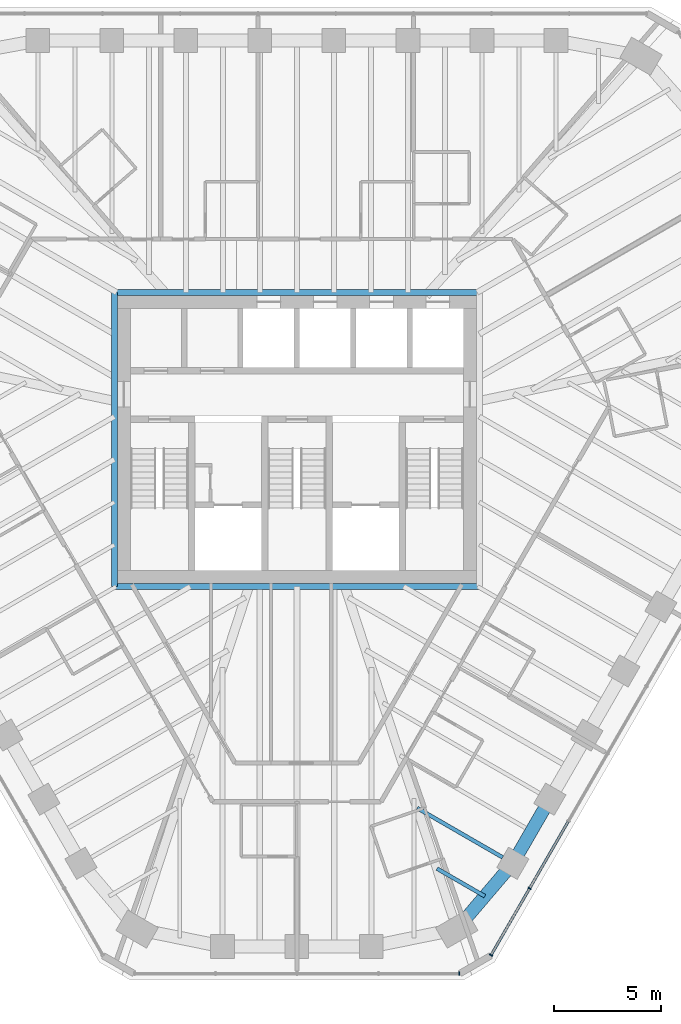
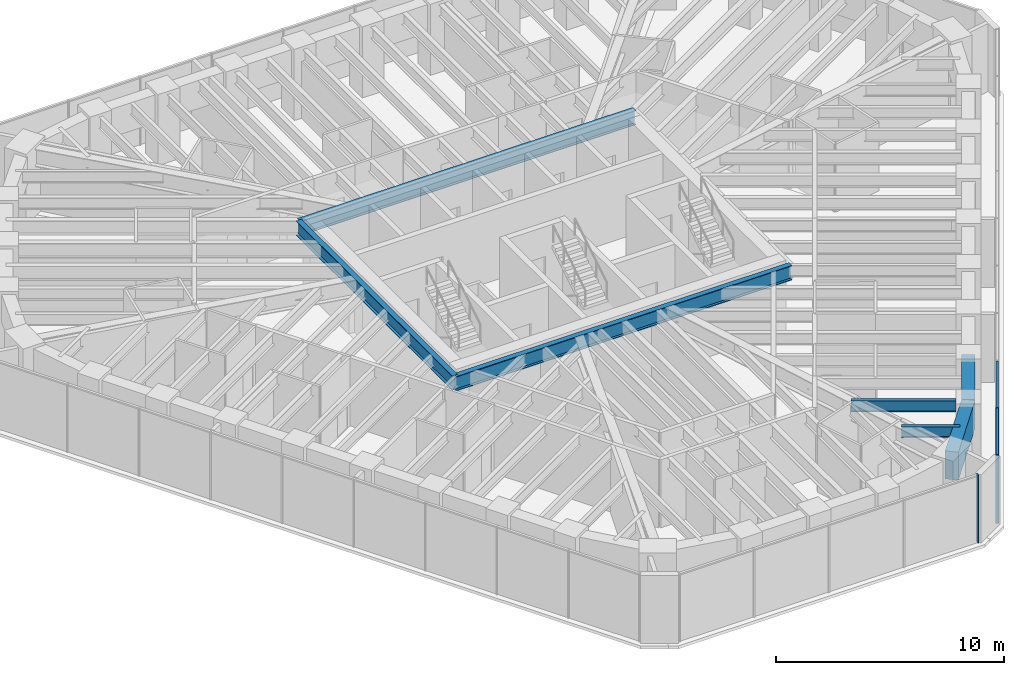
# One storey, part 4 of 14: 7 beams, 5 members, 2 elements without a shape of their own.
"""IFC4 building model written with IfcOpenShell, lengths in metres."""

from ifc_helpers import new_model, si_unit, direction, frame, origin, origin_2d, place, context, subcontext, project, spatial, rectangle, i_section, extrude, material, material_profile, profile_set, type_object, element, aggregate, save


model = new_model("IFC4")

# Units and contexts
model_context = context("Model", 3, precision=1e-05, world=origin(), true_north=direction((0.0, 1.0)))
body_context = subcontext(model_context, "Body", "Model", "MODEL_VIEW")
ifc_project = project(units=[si_unit("LENGTHUNIT", "METRE"), si_unit("AREAUNIT", "SQUARE_METRE"), si_unit("VOLUMEUNIT", "CUBIC_METRE"), si_unit("PLANEANGLEUNIT", "RADIAN"), si_unit("MASSUNIT", "GRAM", prefix="KILO")], contexts=[model_context])

# Site, building, storey
site_placement = place(None, origin())
site = spatial("IfcSite", under=ifc_project, at=site_placement, CompositionType="ELEMENT")
building_placement = place(site_placement, origin())
building = spatial("IfcBuilding", under=site, at=building_placement, Name="Sandreach Pilgrim Tower", CompositionType="ELEMENT")
storey_placement = place(building_placement, frame((0.0, 0.0, 279.800048828125)))
storey = spatial("IfcBuildingStorey", under=building, at=storey_placement, Name="L70", CompositionType="ELEMENT", Elevation=279.800048828125)

# Curtain wall, members
ifc_material_1 = material(Name="Aluminium framed curtain wall", Category="aluminium")
curtain_wall_type = type_object("IfcCurtainWallType", Name="Suite tower curtain wall", PredefinedType="NOTDEFINED", material=ifc_material_1)
curtain_wall_1_placement = place(storey_placement, origin())
curtain_wall_1 = element("IfcCurtainWall", 1, at=curtain_wall_1_placement, inside=storey, type_object=curtain_wall_type, Name="CW-4 L70 SE", PredefinedType="NOTDEFINED")
ifc_material_2 = material(Name="Aluminium extrusion", Category="aluminium")
ifc_material_profile_1 = material_profile(ifc_material_2, rectangle(XDim=0.06005859375, YDim=0.159912109375, at=origin_2d()), Name="CW-4M 60X160")
ifc_profile_set_1 = profile_set([ifc_material_profile_1], Name="Aluminium extrusion")
member_type_1 = type_object("IfcMemberType", Name="CW-4 mullion", PredefinedType="MULLION", material=ifc_profile_set_1)
member_1_placement = place(storey_placement, frame((10.83203125, -20.891357421875, 0.0), z_axis=(0.0, 0.0, 1.0), x_axis=(-0.5, -0.866025403784, 0.0)))
member_1 = element("IfcMember", 2, at=member_1_placement, type_object=member_type_1, Name="CW-4 mullion 9", PredefinedType="MULLION", context=body_context, shape_type="SweptSolid", body=[
    extrude(rectangle(XDim=0.06005859375, YDim=0.159912109375, at=origin_2d()), origin(), (0.0, 0.0, 1.0), 3.639892578125),
])
member_2_placement = place(storey_placement, frame((9.035888671875, -24.001953125, 0.0), z_axis=(0.0, 0.0, 1.0), x_axis=(-0.5, -0.866025403784, 0.0)))
member_2 = element("IfcMember", 3, at=member_2_placement, type_object=member_type_1, Name="CW-4 mullion 10", PredefinedType="MULLION", context=body_context, shape_type="SweptSolid", body=[
    extrude(rectangle(XDim=0.06005859375, YDim=0.159912109375, at=origin_2d()), origin(), (0.0, 0.0, 1.0), 3.639892578125),
])

# Curtain wall, member
curtain_wall_2_placement = place(storey_placement, origin())
curtain_wall_2 = element("IfcCurtainWall", 4, at=curtain_wall_2_placement, inside=storey, type_object=curtain_wall_type, Name="CW-4 L70 S", PredefinedType="NOTDEFINED")
member_3_placement = place(storey_placement, frame((7.553466796875, -24.858154296875, 0.0), z_axis=(0.0, 0.0, 1.0), x_axis=(-1.0, 0.0, 0.0)))
member_3 = element("IfcMember", 5, at=member_3_placement, type_object=member_type_1, Name="CW-4 mullion 1", PredefinedType="MULLION", context=body_context, shape_type="SweptSolid", body=[
    extrude(rectangle(XDim=0.06005859375, YDim=0.159912109375, at=origin_2d()), origin(), (0.0, 0.0, 1.0), 3.639892578125),
])
aggregate(curtain_wall_2, [member_3])

# Member
ifc_material_3 = material(Name="Aluminium extrusion", Category="aluminium")
ifc_material_profile_2 = material_profile(ifc_material_3, rectangle(XDim=0.1201171875, YDim=0.070068359375, at=origin_2d()), Name="CW-4T 120X70")
ifc_profile_set_2 = profile_set([ifc_material_profile_2], Name="Aluminium extrusion")
member_type_2 = type_object("IfcMemberType", Name="CW-4 transom", PredefinedType="USERDEFINED", material=ifc_profile_set_2)
member_4_placement = place(storey_placement, frame((12.6279296875, -17.78076171875, 3.60498046875), z_axis=(-0.500009219579, -0.866020080793, 0.0), x_axis=(0.866020080793, -0.500009219579, 0.0)))
member_4 = element("IfcMember", 6, at=member_4_placement, type_object=member_type_2, Name="CW-4 head transom 8", ObjectType="TRANSOM", PredefinedType="USERDEFINED", context=body_context, shape_type="SweptSolid", body=[
    extrude(rectangle(XDim=0.1201171875, YDim=0.070068359375, at=origin_2d()), origin(), (0.0, 0.0, 1.0), 3.56201171875),
])

member_5_placement = place(storey_placement, frame((10.81689453125, -20.91748046875, 3.60498046875), z_axis=(-0.499997709859, -0.866026725994, 0.0), x_axis=(0.866026725994, -0.499997709859, 0.0)))
member_5 = element("IfcMember", 7, at=member_5_placement, type_object=member_type_2, Name="CW-4 head transom 9", ObjectType="TRANSOM", PredefinedType="USERDEFINED", context=body_context, shape_type="SweptSolid", body=[
    extrude(rectangle(XDim=0.1201171875, YDim=0.070068359375, at=origin_2d()), origin(), (0.0, 0.0, 1.0), 3.53173828125),
])

aggregate(curtain_wall_1, [member_1, member_2, member_4, member_5])

# Beams
ifc_material_4 = material(Name="Steel ASTM A992 Grade 50", Category="steel")
ifc_material_profile_3 = material_profile(ifc_material_4, i_section(OverallWidth=0.2666015625, OverallDepth=0.77978515625, WebThickness=0.0166015625, FlangeThickness=0.030029296875, at=origin_2d()), Name="W30X148")
ifc_profile_set_3 = profile_set([ifc_material_profile_3], Name="Steel ASTM A992 Grade 50")
beam_type_1 = type_object("IfcBeamType", Name="Core edge beam W30X148", PredefinedType="BEAM", material=ifc_profile_set_3)
for number, where, z_axis, x_axis, name in (
    (8, (-8.493408203125, 6.84326171875, 3.25), (1.0, 0.0, 0.0), (0.0, 1.0, 0.0), "BM L70 CEN"),
    (9, (8.493408203125, -6.84326171875, 3.25), (-1.0, 0.0, 0.0), (0.0, -1.0, 0.0), "BM L70 CES"),
):
    element("IfcBeam", number, at=place(storey_placement, frame(where, z_axis=z_axis, x_axis=x_axis)), inside=storey, type_object=beam_type_1, Name=name, PredefinedType="BEAM", context=body_context, shape_type="SweptSolid", body=[
        extrude(i_section(OverallWidth=0.2666015625, OverallDepth=0.77978515625, WebThickness=0.0166015625, FlangeThickness=0.030029296875, at=origin_2d()), origin(), (0.0, 0.0, 1.0), 16.98681640625),
    ])
beam_1_placement = place(storey_placement, frame((-8.493408203125, -6.84326171875, 3.25), z_axis=(0.0, 1.0, 0.0), x_axis=(-1.0, 0.0, 0.0)))
element("IfcBeam", 10, at=beam_1_placement, inside=storey, type_object=beam_type_1, Name="BM L70 CEW", PredefinedType="BEAM", context=body_context, shape_type="SweptSolid", body=[
    extrude(i_section(OverallWidth=0.2666015625, OverallDepth=0.77978515625, WebThickness=0.0166015625, FlangeThickness=0.030029296875, at=origin_2d()), origin(), (0.0, 0.0, 1.0), 13.6865234375),
])
ifc_material_5 = material(Name="Steel ASTM A992 Grade 50", Category="steel")
ifc_material_profile_4 = material_profile(ifc_material_5, i_section(OverallWidth=0.1787109375, OverallDepth=0.60205078125, WebThickness=0.010986328125, FlangeThickness=0.014892578125, at=origin_2d()), Name="W24X62")
ifc_profile_set_4 = profile_set([ifc_material_profile_4], Name="Steel ASTM A992 Grade 50")
beam_type_2 = type_object("IfcBeamType", Name="Floor beam W24X62", PredefinedType="BEAM", material=ifc_profile_set_4)
beam_2_placement = place(storey_placement, frame((9.573974609375, -19.450439453125, 3.3388671875), z_axis=(-0.866024320471, 0.50000187635, 0.0), x_axis=(-0.50000187635, -0.866024320471, 0.0)))
element("IfcBeam", 11, at=beam_2_placement, inside=storey, type_object=beam_type_2, Name="BM L70 F21", PredefinedType="BEAM", context=body_context, shape_type="SweptSolid", body=[
    extrude(i_section(OverallWidth=0.1787109375, OverallDepth=0.60205078125, WebThickness=0.010986328125, FlangeThickness=0.014892578125, at=origin_2d()), origin(), (0.0, 0.0, 1.0), 4.58837890625),
])
beam_3_placement = place(storey_placement, frame((8.74462890625, -21.25732421875, 3.3388671875), z_axis=(-0.866041575714, 0.49997198835, 0.0), x_axis=(-0.49997198835, -0.866041575714, 0.0)))
element("IfcBeam", 12, at=beam_3_placement, inside=storey, type_object=beam_type_2, Name="BM L70 FM21", PredefinedType="BEAM", context=body_context, shape_type="SweptSolid", body=[
    extrude(i_section(OverallWidth=0.1787109375, OverallDepth=0.60205078125, WebThickness=0.010986328125, FlangeThickness=0.014892578125, at=origin_2d()), origin(), (0.0, 0.0, 1.0), 2.569091796875),
])
ifc_material_6 = material(Name="Concrete 10000 psi", Category="concrete")
ifc_material_profile_5 = material_profile(ifc_material_6, rectangle(XDim=0.60009765625, YDim=1.5, at=origin_2d()), Name="RC600X1500")
ifc_profile_set_5 = profile_set([ifc_material_profile_5], Name="Concrete 10000 psi")
beam_type_3 = type_object("IfcBeamType", Name="Spandrel beam RC600X1500", PredefinedType="SPANDREL", material=ifc_profile_set_5)
beam_4_placement = place(storey_placement, frame((11.772705078125, -16.741943359375, 2.889892578125), z_axis=(-0.499988291006, -0.866032163869, 0.0), x_axis=(0.866032163869, -0.499988291006, 0.0)))
element("IfcBeam", 13, at=beam_4_placement, inside=storey, type_object=beam_type_3, Name="BM L70 SP20", PredefinedType="SPANDREL", context=body_context, shape_type="SweptSolid", body=[
    extrude(rectangle(XDim=0.60009765625, YDim=1.5, at=origin_2d()), origin(), (0.0, 0.0, 1.0), 3.44482421875),
])
beam_5_placement = place(storey_placement, frame((10.05029296875, -19.725341796875, 2.889892578125), z_axis=(-0.648586192707, -0.761141215958, 0.0), x_axis=(0.761141215958, -0.648586192707, 0.0)))
element("IfcBeam", 14, at=beam_5_placement, inside=storey, type_object=beam_type_3, Name="BM L70 SP21", PredefinedType="SPANDREL", context=body_context, shape_type="SweptSolid", body=[
    extrude(rectangle(XDim=0.60009765625, YDim=1.5, at=origin_2d()), origin(), (0.0, 0.0, 1.0), 4.02587890625),
])

save(model, "model.ifc")
